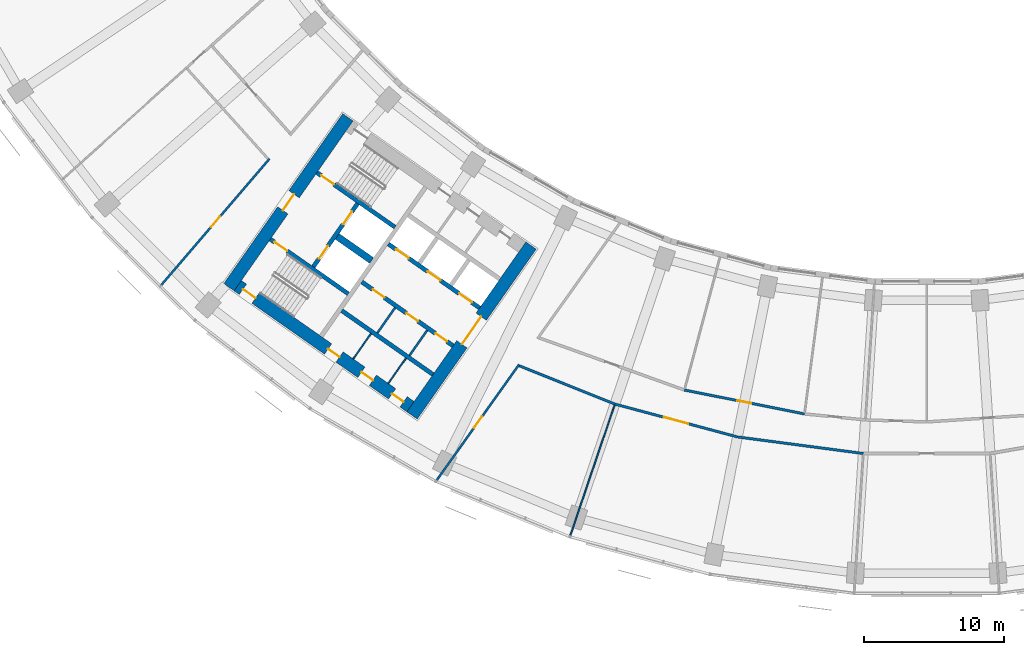
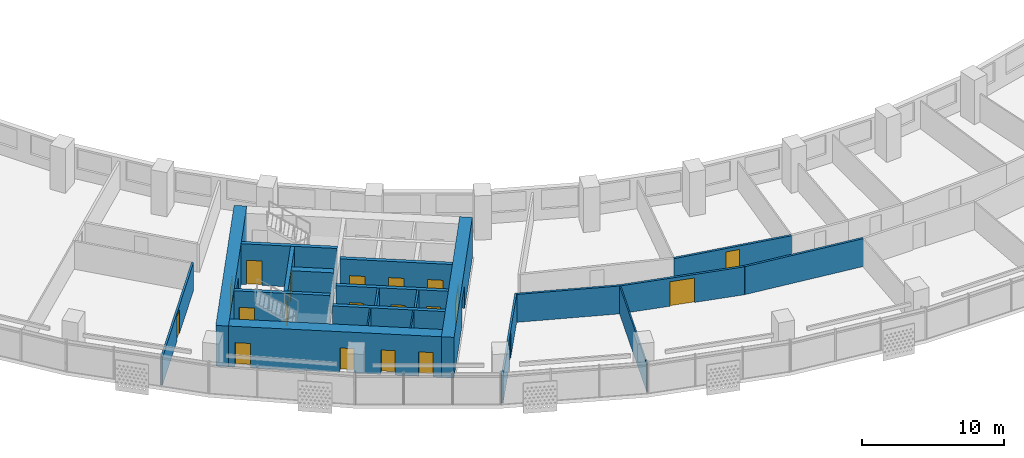
# One storey, part 3 of 29: 21 walls, 20 doors, 20 openings.
"""IFC4 building model written with IfcOpenShell, lengths in metres."""

from ifc_helpers import new_model, si_unit, direction, frame, frame_2d, origin, place, context, subcontext, project, spatial, rectangle, extrude, material, layer, layer_set, type_object, element, fill, save


model = new_model("IFC4")

# Units and contexts
model_context = context("Model", 3, precision=1e-05, world=origin(), true_north=direction((0.0, 1.0)))
body_context = subcontext(model_context, "Body", "Model", "MODEL_VIEW")
ifc_project = project(units=[si_unit("LENGTHUNIT", "METRE"), si_unit("AREAUNIT", "SQUARE_METRE"), si_unit("VOLUMEUNIT", "CUBIC_METRE"), si_unit("PLANEANGLEUNIT", "RADIAN"), si_unit("MASSUNIT", "GRAM", prefix="KILO")], contexts=[model_context])

# Site, building, storey
site_placement = place(None, origin())
site = spatial("IfcSite", under=ifc_project, at=site_placement, CompositionType="ELEMENT")
building_placement = place(site_placement, origin())
building = spatial("IfcBuilding", under=site, at=building_placement, Name="Qamariyya Broadcast Tower", CompositionType="ELEMENT")
storey_placement = place(building_placement, frame((0.0, 0.0, 129.10009765625)))
storey = spatial("IfcBuildingStorey", under=building, at=storey_placement, Name="L29", CompositionType="ELEMENT", Elevation=129.10009765625)

# Wall, opening, door
ifc_material_1 = material(Name="Concrete C70/85", Category="concrete")
ifc_layer_1 = layer(ifc_material_1, 0.89990234375)
ifc_layer_set_1 = layer_set([ifc_layer_1], Name="Core wall 900 mm Concrete C70/85")
wall_type_1 = type_object("IfcWallType", Name="Core wall 900 mm Concrete C70/85", PredefinedType="SHEAR", material=ifc_layer_set_1)
wall_1_placement = place(storey_placement, frame((-36.716796875, -66.3369140625, 0.0), z_axis=(0.0, 0.0, 1.0), x_axis=(0.573577477574, 0.819151315216, 0.0)))
wall_1 = element("IfcWall", 1, at=wall_1_placement, inside=storey, type_object=wall_type_1, Name="k-W-L29-WA", PredefinedType="SHEAR", context=body_context, shape_type="SweptSolid", body=[
    extrude(rectangle(XDim=14.800048828125, YDim=0.89990234375, at=frame_2d((7.39990234375, 0.0))), origin(), (0.0, 0.0, 1.0), 3.5),
])
opening_1_placement = place(wall_1_placement, frame((6.199951171875, 0.0, 0.0)))
opening_1 = element("IfcOpeningElement", 2, at=opening_1_placement, cuts=wall_1, Name="Opening KD3-W1", PredefinedType="OPENING", context=body_context, shape_type="SweptSolid", body=[
    extrude(rectangle(XDim=2.39990234375, YDim=2.10009765625, at=frame_2d((1.199951171875, 1.050048828125))), frame((0.0, 0.4599609375, 0.0), z_axis=(0.0, -1.0, 0.0), x_axis=(1.0, 0.0, 0.0)), (0.0, 0.0, 1.0), 0.919921875),
])
ifc_material_2 = material(Name="Steel fire-resisting door leaf", Category="steel")
door_type_1 = type_object("IfcDoorType", Name="Lift lobby door KD3", OperationType="DOUBLE_DOOR_SINGLE_SWING", PredefinedType="DOOR", material=ifc_material_2)
door_1_placement = place(opening_1_placement, origin())
door_1 = element("IfcDoor", 3, at=door_1_placement, inside=storey, type_object=door_type_1, Name="k-W-L29-WA-D1", OperationType="DOUBLE_DOOR_SINGLE_SWING", OverallHeight=2.10009765625, OverallWidth=2.39990234375, PredefinedType="DOOR", context=body_context, shape_type="SweptSolid", body=[
    extrude(rectangle(XDim=2.39990234375, YDim=2.10009765625, at=frame_2d((1.199951171875, 1.050048828125))), frame((0.0, 0.02490234375, 0.0), z_axis=(0.0, -1.0, 0.0), x_axis=(1.0, 0.0, 0.0)), (0.0, 0.0, 1.0), 0.050048828125),
])
fill(opening_1, door_1)

wall_2_placement = place(storey_placement, frame((-49.778564453125, -57.191162109375, 0.0), z_axis=(0.0, 0.0, 1.0), x_axis=(0.573577477574, 0.819151315216, 0.0)))
wall_2 = element("IfcWall", 4, at=wall_2_placement, inside=storey, type_object=wall_type_1, Name="k-W-L29-WH", PredefinedType="SHEAR", context=body_context, shape_type="SweptSolid", body=[
    extrude(rectangle(XDim=14.800048828125, YDim=0.89990234375, at=frame_2d((7.39990234375, 0.0))), origin(), (0.0, 0.0, 1.0), 3.5),
])
opening_2_placement = place(wall_2_placement, frame((6.699951171875, 0.0, 0.0)))
opening_2 = element("IfcOpeningElement", 5, at=opening_2_placement, cuts=wall_2, Name="Opening KD2-W1", PredefinedType="OPENING", context=body_context, shape_type="SweptSolid", body=[
    extrude(rectangle(XDim=1.39990234375, YDim=2.10009765625, at=frame_2d((0.699951171875, 1.050048828125))), frame((0.0, 0.4599609375, 0.0), z_axis=(0.0, -1.0, 0.0), x_axis=(1.0, 0.0, 0.0)), (0.0, 0.0, 1.0), 0.919921875),
])
door_type_2 = type_object("IfcDoorType", Name="Fire-fighting lobby door KD2", OperationType="DOUBLE_DOOR_SINGLE_SWING", PredefinedType="DOOR", material=ifc_material_2)
door_2_placement = place(opening_2_placement, origin())
door_2 = element("IfcDoor", 6, at=door_2_placement, inside=storey, type_object=door_type_2, Name="k-W-L29-WH-D16", OperationType="DOUBLE_DOOR_SINGLE_SWING", OverallHeight=2.10009765625, OverallWidth=1.39990234375, PredefinedType="DOOR", context=body_context, shape_type="SweptSolid", body=[
    extrude(rectangle(XDim=1.39990234375, YDim=2.10009765625, at=frame_2d((0.699951171875, 1.050048828125))), frame((0.0, 0.02490234375, 0.0), z_axis=(0.0, -1.0, 0.0), x_axis=(1.0, 0.0, 0.0)), (0.0, 0.0, 1.0), 0.050048828125),
])
fill(opening_2, door_2)

# Wall, openings, doors
wall_3_placement = place(storey_placement, frame((-36.827392578125, -65.710205078125, 0.0), z_axis=(0.0, 0.0, 1.0), x_axis=(-0.819153391756, 0.573574511963, 0.0)))
wall_3 = element("IfcWall", 7, at=wall_3_placement, inside=storey, type_object=wall_type_1, Name="k-W-L29-WO", PredefinedType="SHEAR", context=body_context, shape_type="SweptSolid", body=[
    extrude(rectangle(XDim=15.04541015625, YDim=0.89990234375, at=frame_2d((7.522705078125, 0.0))), origin(), (0.0, 0.0, 1.0), 3.5),
])
opening_3_placement = place(wall_3_placement, frame((0.60009765625, 0.0, 0.0)))
opening_3 = element("IfcOpeningElement", 8, at=opening_3_placement, cuts=wall_3, Name="Opening KD4-W1", PredefinedType="OPENING", context=body_context, shape_type="SweptSolid", body=[
    extrude(rectangle(XDim=1.0, YDim=2.10009765625, at=frame_2d((0.5, 1.050048828125))), frame((0.0, 0.4599609375, 0.0), z_axis=(0.0, -1.0, 0.0), x_axis=(1.0, 0.0, 0.0)), (0.0, 0.0, 1.0), 0.919921875),
])
opening_4_placement = place(wall_3_placement, frame((3.27490234375, 0.0, 0.0)))
opening_4 = element("IfcOpeningElement", 9, at=opening_4_placement, cuts=wall_3, Name="Opening KD4-W2", PredefinedType="OPENING", context=body_context, shape_type="SweptSolid", body=[
    extrude(rectangle(XDim=1.0, YDim=2.10009765625, at=frame_2d((0.5, 1.050048828125))), frame((0.0, 0.4599609375, 0.0), z_axis=(0.0, -1.0, 0.0), x_axis=(1.0, 0.0, 0.0)), (0.0, 0.0, 1.0), 0.919921875),
])
opening_5_placement = place(wall_3_placement, frame((6.175048828125, 0.0, 0.0)))
opening_5 = element("IfcOpeningElement", 10, at=opening_5_placement, cuts=wall_3, Name="Opening KD4-W3", PredefinedType="OPENING", context=body_context, shape_type="SweptSolid", body=[
    extrude(rectangle(XDim=1.0, YDim=2.10009765625, at=frame_2d((0.5, 1.050048828125))), frame((0.0, 0.4599609375, 0.0), z_axis=(0.0, -1.0, 0.0), x_axis=(1.0, 0.0, 0.0)), (0.0, 0.0, 1.0), 0.919921875),
])
opening_6_placement = place(wall_3_placement, frame((13.495361328125, 0.0, 0.0)))
opening_6 = element("IfcOpeningElement", 11, at=opening_6_placement, cuts=wall_3, Name="Opening KD1-W3", PredefinedType="OPENING", context=body_context, shape_type="SweptSolid", body=[
    extrude(rectangle(XDim=1.10009765625, YDim=2.10009765625, at=frame_2d((0.550048828125, 1.050048828125))), frame((0.0, 0.4599609375, 0.0), z_axis=(0.0, -1.0, 0.0), x_axis=(1.0, 0.0, 0.0)), (0.0, 0.0, 1.0), 0.919921875),
])
door_type_3 = type_object("IfcDoorType", Name="Riser and plant door KD4", OperationType="SINGLE_SWING_LEFT", PredefinedType="DOOR", material=ifc_material_2)
door_3_placement = place(opening_3_placement, origin())
door_3 = element("IfcDoor", 12, at=door_3_placement, inside=storey, type_object=door_type_3, Name="k-W-L29-WO-D11", OperationType="SINGLE_SWING_RIGHT", OverallHeight=2.10009765625, OverallWidth=1.0, PredefinedType="DOOR", context=body_context, shape_type="SweptSolid", body=[
    extrude(rectangle(XDim=1.0, YDim=2.10009765625, at=frame_2d((0.5, 1.050048828125))), frame((0.0, 0.02490234375, 0.0), z_axis=(0.0, -1.0, 0.0), x_axis=(1.0, 0.0, 0.0)), (0.0, 0.0, 1.0), 0.050048828125),
])
fill(opening_3, door_3)
door_4_placement = place(opening_4_placement, origin())
door_4 = element("IfcDoor", 13, at=door_4_placement, inside=storey, type_object=door_type_3, Name="k-W-L29-WO-D12", OperationType="SINGLE_SWING_LEFT", OverallHeight=2.10009765625, OverallWidth=1.0, PredefinedType="DOOR", context=body_context, shape_type="SweptSolid", body=[
    extrude(rectangle(XDim=1.0, YDim=2.10009765625, at=frame_2d((0.5, 1.050048828125))), frame((0.0, 0.02490234375, 0.0), z_axis=(0.0, -1.0, 0.0), x_axis=(1.0, 0.0, 0.0)), (0.0, 0.0, 1.0), 0.050048828125),
])
fill(opening_4, door_4)
door_5_placement = place(opening_5_placement, origin())
door_5 = element("IfcDoor", 14, at=door_5_placement, inside=storey, type_object=door_type_3, Name="k-W-L29-WO-D13", OperationType="SINGLE_SWING_RIGHT", OverallHeight=2.10009765625, OverallWidth=1.0, PredefinedType="DOOR", context=body_context, shape_type="SweptSolid", body=[
    extrude(rectangle(XDim=1.0, YDim=2.10009765625, at=frame_2d((0.5, 1.050048828125))), frame((0.0, 0.02490234375, 0.0), z_axis=(0.0, -1.0, 0.0), x_axis=(1.0, 0.0, 0.0)), (0.0, 0.0, 1.0), 0.050048828125),
])
fill(opening_5, door_5)
door_type_4 = type_object("IfcDoorType", Name="Stair door KD1", OperationType="SINGLE_SWING_LEFT", PredefinedType="DOOR", material=ifc_material_2)
door_6_placement = place(opening_6_placement, origin())
door_6 = element("IfcDoor", 15, at=door_6_placement, inside=storey, type_object=door_type_4, Name="k-W-L29-WO-D19", OperationType="SINGLE_SWING_LEFT", OverallHeight=2.10009765625, OverallWidth=1.10009765625, PredefinedType="DOOR", context=body_context, shape_type="SweptSolid", body=[
    extrude(rectangle(XDim=1.10009765625, YDim=2.10009765625, at=frame_2d((0.550048828125, 1.050048828125))), frame((0.0, 0.02490234375, 0.0), z_axis=(0.0, -1.0, 0.0), x_axis=(1.0, 0.0, 0.0)), (0.0, 0.0, 1.0), 0.050048828125),
])
fill(opening_6, door_6)

# Wall, opening, door
ifc_material_3 = material(Name="Gypsum board partition")
ifc_layer_2 = layer(ifc_material_3, 0.14990234375)
ifc_layer_set_2 = layer_set([ifc_layer_2], Name="Corridor partition 150 EI 60")
wall_type_2 = type_object("IfcWallType", Name="Corridor partition 150 EI 60", PredefinedType="PARTITIONING", material=ifc_layer_set_2)
wall_4_placement = place(storey_placement, frame((-54.600830078125, -57.024169921875, 0.0), z_axis=(0.0, 0.0, 1.0), x_axis=(0.650984855328, 0.759090717986, 0.0)))
wall_4 = element("IfcWall", 16, at=wall_4_placement, inside=storey, type_object=wall_type_2, Name="Partition L29-004", PredefinedType="PARTITIONING", context=body_context, shape_type="SweptSolid", body=[
    extrude(rectangle(XDim=11.844970703125, YDim=0.14990234375, at=frame_2d((5.92236328125, 0.0))), origin(), (0.0, 0.0, 1.0), 2.39990234375),
])
opening_7_placement = place(wall_4_placement, frame((5.422607421875, 0.0, 0.0)))
opening_7 = element("IfcOpeningElement", 17, at=opening_7_placement, cuts=wall_4, Name="Opening L29-D14", PredefinedType="OPENING", context=body_context, shape_type="SweptSolid", body=[
    extrude(rectangle(XDim=1.0, YDim=2.10009765625, at=frame_2d((0.5, 1.050048828125))), frame((0.0, 0.0849609375, 0.0), z_axis=(0.0, -1.0, 0.0), x_axis=(1.0, 0.0, 0.0)), (0.0, 0.0, 1.0), 0.169921875),
])
ifc_material_4 = material(Name="Timber fire door leaf", Category="wood")
door_type_5 = type_object("IfcDoorType", Name="Fire door 1000 x 2100 FD60", OperationType="NOTDEFINED", PredefinedType="DOOR", material=ifc_material_4)
door_7_placement = place(opening_7_placement, origin())
door_7 = element("IfcDoor", 18, at=door_7_placement, inside=storey, type_object=door_type_5, Name="Door L29-D14", OperationType="SINGLE_SWING_RIGHT", OverallHeight=2.10009765625, OverallWidth=1.0, PredefinedType="DOOR", context=body_context, shape_type="SweptSolid", body=[
    extrude(rectangle(XDim=1.0, YDim=2.10009765625, at=frame_2d((0.5, 1.050048828125))), frame((0.0, 0.02490234375, 0.0), z_axis=(0.0, -1.0, 0.0), x_axis=(1.0, 0.0, 0.0)), (0.0, 0.0, 1.0), 0.050048828125),
])
fill(opening_7, door_7)

wall_5_placement = place(storey_placement, frame((-29.075439453125, -62.697998046875, 0.0), z_axis=(0.0, 0.0, 1.0), x_axis=(-0.58002146853, -0.814601188339, 0.0)))
wall_5 = element("IfcWall", 19, at=wall_5_placement, inside=storey, type_object=wall_type_2, Name="Partition L29-008", PredefinedType="PARTITIONING", context=body_context, shape_type="SweptSolid", body=[
    extrude(rectangle(XDim=10.14111328125, YDim=0.14990234375, at=frame_2d((5.070556640625, 0.0))), origin(), (0.0, 0.0, 1.0), 2.39990234375),
])
opening_8_placement = place(wall_5_placement, frame((4.570556640625, 0.0, 0.0)))
opening_8 = element("IfcOpeningElement", 20, at=opening_8_placement, cuts=wall_5, Name="Opening L29-D01", PredefinedType="OPENING", context=body_context, shape_type="SweptSolid", body=[
    extrude(rectangle(XDim=1.0, YDim=2.10009765625, at=frame_2d((0.5, 1.050048828125))), frame((0.0, 0.0849609375, 0.0), z_axis=(0.0, -1.0, 0.0), x_axis=(1.0, 0.0, 0.0)), (0.0, 0.0, 1.0), 0.169921875),
])
door_8_placement = place(opening_8_placement, origin())
door_8 = element("IfcDoor", 21, at=door_8_placement, inside=storey, type_object=door_type_5, Name="Door L29-D01", OperationType="SINGLE_SWING_RIGHT", OverallHeight=2.10009765625, OverallWidth=1.0, PredefinedType="DOOR", context=body_context, shape_type="SweptSolid", body=[
    extrude(rectangle(XDim=1.0, YDim=2.10009765625, at=frame_2d((0.5, 1.050048828125))), frame((0.0, 0.02490234375, 0.0), z_axis=(0.0, -1.0, 0.0), x_axis=(1.0, 0.0, 0.0)), (0.0, 0.0, 1.0), 0.050048828125),
])
fill(opening_8, door_8)

# Walls
ifc_material_5 = material(Name="Concrete C60/75", Category="concrete")
ifc_layer_3 = layer(ifc_material_5, 0.5)
ifc_layer_set_3 = layer_set([ifc_layer_3], Name="Fire-fighting lobby divider wall 500 mm Concrete C60/75")
wall_type_3 = type_object("IfcWallType", Name="Fire-fighting lobby divider wall 500 mm Concrete C60/75", PredefinedType="SOLIDWALL", material=ifc_layer_set_3)
wall_6_placement = place(storey_placement, frame((-39.59912109375, -55.28515625, 0.0), z_axis=(0.0, 0.0, 1.0), x_axis=(-0.819136323161, 0.573598887793, 0.0)))
element("IfcWall", 22, at=wall_6_placement, inside=storey, type_object=wall_type_3, Name="k-W-L29-FD", PredefinedType="SOLIDWALL", context=body_context, shape_type="SweptSolid", body=[
    extrude(rectangle(XDim=2.999755859375, YDim=0.5, at=frame_2d((1.5, 0.0))), origin(), (0.0, 0.0, 1.0), 3.5),
])
ifc_material_6 = material(Name="Gypsum board partition on steel studs", Category="steel")
ifc_layer_4 = layer(ifc_material_6, 0.14990234375)
ifc_layer_set_4 = layer_set([ifc_layer_4], Name="Gypsum board partition 150 mm")
wall_type_4 = type_object("IfcWallType", Name="Gypsum board partition 150 mm", PredefinedType="PARTITIONING", material=ifc_layer_set_4)
for number, where, z_axis, x_axis, name in (
    (23, (-35.634521484375, -60.25830078125, 0.0), (0.0, 0.0, 1.0), (-0.573581496053, -0.819148501424, 0.0), "k-W-L29-SC215"),
    (24, (-37.92822265625, -58.65234375, 0.0), (0.0, 0.0, 1.0), (-0.573581496053, -0.819148501424, 0.0), "k-W-L29-SC495"),
):
    element("IfcWall", number, at=place(storey_placement, frame(where, z_axis=z_axis, x_axis=x_axis)), inside=storey, type_object=wall_type_4, Name=name, PredefinedType="PARTITIONING", context=body_context, shape_type="SweptSolid", body=[
        extrude(rectangle(XDim=2.2001953125, YDim=0.14990234375, at=frame_2d((1.10009765625, 0.0))), origin(), (0.0, 0.0, 1.0), 3.5),
    ])

# Wall, openings, doors
ifc_layer_5 = layer(ifc_material_5, 0.300048828125)
ifc_layer_set_5 = layer_set([ifc_layer_5], Name="Lift shaft wall 300 mm Concrete C60/75")
wall_type_5 = type_object("IfcWallType", Name="Lift shaft wall 300 mm Concrete C60/75", PredefinedType="SOLIDWALL", material=ifc_layer_set_5)
wall_7_placement = place(storey_placement, frame((-31.89453125, -58.66552734375, 0.0), z_axis=(0.0, 0.0, 1.0), x_axis=(-0.819166993208, 0.573555086491, 0.0)))
wall_7 = element("IfcWall", 25, at=wall_7_placement, inside=storey, type_object=wall_type_5, Name="k-W-L29-NF0", PredefinedType="SOLIDWALL", context=body_context, shape_type="SweptSolid", body=[
    extrude(rectangle(XDim=7.9501953125, YDim=0.300048828125, at=frame_2d((3.97509765625, 0.0))), origin(), (0.0, 0.0, 1.0), 3.5),
])
opening_9_placement = place(wall_7_placement, frame((0.675048828125, 0.0, 0.0)))
opening_9 = element("IfcOpeningElement", 26, at=opening_9_placement, cuts=wall_7, Name="Opening LD", PredefinedType="OPENING", context=body_context, shape_type="SweptSolid", body=[
    extrude(rectangle(XDim=1.10009765625, YDim=2.10009765625, at=frame_2d((0.550048828125, 1.050048828125))), frame((0.0, 0.159912109375, 0.0), z_axis=(0.0, -1.0, 0.0), x_axis=(1.0, 0.0, 0.0)), (0.0, 0.0, 1.0), 0.320068359375),
])
opening_10_placement = place(wall_7_placement, frame((3.425048828125, 0.0, 0.0)))
opening_10 = element("IfcOpeningElement", 27, at=opening_10_placement, cuts=wall_7, Name="Opening LD", PredefinedType="OPENING", context=body_context, shape_type="SweptSolid", body=[
    extrude(rectangle(XDim=1.10009765625, YDim=2.10009765625, at=frame_2d((0.550048828125, 1.050048828125))), frame((0.0, 0.159912109375, 0.0), z_axis=(0.0, -1.0, 0.0), x_axis=(1.0, 0.0, 0.0)), (0.0, 0.0, 1.0), 0.320068359375),
])
opening_11_placement = place(wall_7_placement, frame((6.175048828125, 0.0, 0.0)))
opening_11 = element("IfcOpeningElement", 28, at=opening_11_placement, cuts=wall_7, Name="Opening LD", PredefinedType="OPENING", context=body_context, shape_type="SweptSolid", body=[
    extrude(rectangle(XDim=1.10009765625, YDim=2.10009765625, at=frame_2d((0.550048828125, 1.050048828125))), frame((0.0, 0.159912109375, 0.0), z_axis=(0.0, -1.0, 0.0), x_axis=(1.0, 0.0, 0.0)), (0.0, 0.0, 1.0), 0.320068359375),
])
door_type_6 = type_object("IfcDoorType", Name="Lift landing door LD", OperationType="DOUBLE_DOOR_SLIDING", PredefinedType="DOOR", material=ifc_material_2)
door_9_placement = place(opening_9_placement, origin())
door_9 = element("IfcDoor", 29, at=door_9_placement, inside=storey, type_object=door_type_6, Name="k-W-L29-NF0-D2", OperationType="DOUBLE_DOOR_SLIDING", OverallHeight=2.10009765625, OverallWidth=1.10009765625, PredefinedType="DOOR", context=body_context, shape_type="SweptSolid", body=[
    extrude(rectangle(XDim=1.10009765625, YDim=2.10009765625, at=frame_2d((0.550048828125, 1.050048828125))), frame((0.0, 0.02490234375, 0.0), z_axis=(0.0, -1.0, 0.0), x_axis=(1.0, 0.0, 0.0)), (0.0, 0.0, 1.0), 0.050048828125),
])
fill(opening_9, door_9)
door_10_placement = place(opening_10_placement, origin())
door_10 = element("IfcDoor", 30, at=door_10_placement, inside=storey, type_object=door_type_6, Name="k-W-L29-NF0-D3", OperationType="DOUBLE_DOOR_SLIDING", OverallHeight=2.10009765625, OverallWidth=1.10009765625, PredefinedType="DOOR", context=body_context, shape_type="SweptSolid", body=[
    extrude(rectangle(XDim=1.10009765625, YDim=2.10009765625, at=frame_2d((0.550048828125, 1.050048828125))), frame((0.0, 0.02490234375, 0.0), z_axis=(0.0, -1.0, 0.0), x_axis=(1.0, 0.0, 0.0)), (0.0, 0.0, 1.0), 0.050048828125),
])
fill(opening_10, door_10)
door_11_placement = place(opening_11_placement, origin())
door_11 = element("IfcDoor", 31, at=door_11_placement, inside=storey, type_object=door_type_6, Name="k-W-L29-NF0-D4", OperationType="DOUBLE_DOOR_SLIDING", OverallHeight=2.10009765625, OverallWidth=1.10009765625, PredefinedType="DOOR", context=body_context, shape_type="SweptSolid", body=[
    extrude(rectangle(XDim=1.10009765625, YDim=2.10009765625, at=frame_2d((0.550048828125, 1.050048828125))), frame((0.0, 0.02490234375, 0.0), z_axis=(0.0, -1.0, 0.0), x_axis=(1.0, 0.0, 0.0)), (0.0, 0.0, 1.0), 0.050048828125),
])
fill(opening_11, door_11)

wall_8_placement = place(storey_placement, frame((-33.787353515625, -61.368896484375, 0.0), z_axis=(0.0, 0.0, 1.0), x_axis=(-0.819152564888, 0.573575692858, 0.0)))
wall_8 = element("IfcWall", 32, at=wall_8_placement, inside=storey, type_object=wall_type_5, Name="k-W-L29-SF0", PredefinedType="SOLIDWALL", context=body_context, shape_type="SweptSolid", body=[
    extrude(rectangle(XDim=7.9501953125, YDim=0.300048828125, at=frame_2d((3.97509765625, 0.0))), origin(), (0.0, 0.0, 1.0), 3.5),
])
opening_12_placement = place(wall_8_placement, frame((0.53759765625, 0.0, 0.0)))
opening_12 = element("IfcOpeningElement", 33, at=opening_12_placement, cuts=wall_8, Name="Opening KD6-W1", PredefinedType="OPENING", context=body_context, shape_type="SweptSolid", body=[
    extrude(rectangle(XDim=1.0, YDim=2.10009765625, at=frame_2d((0.5, 1.050048828125))), frame((0.0, 0.159912109375, 0.0), z_axis=(0.0, -1.0, 0.0), x_axis=(1.0, 0.0, 0.0)), (0.0, 0.0, 1.0), 0.320068359375),
])
opening_13_placement = place(wall_8_placement, frame((3.050048828125, 0.0, 0.0)))
opening_13 = element("IfcOpeningElement", 34, at=opening_13_placement, cuts=wall_8, Name="Opening KD6-W2", PredefinedType="OPENING", context=body_context, shape_type="SweptSolid", body=[
    extrude(rectangle(XDim=1.0, YDim=2.10009765625, at=frame_2d((0.5, 1.050048828125))), frame((0.0, 0.159912109375, 0.0), z_axis=(0.0, -1.0, 0.0), x_axis=(1.0, 0.0, 0.0)), (0.0, 0.0, 1.0), 0.320068359375),
])
opening_14_placement = place(wall_8_placement, frame((5.987548828125, 0.0, 0.0)))
opening_14 = element("IfcOpeningElement", 35, at=opening_14_placement, cuts=wall_8, Name="Opening KD6-W3", PredefinedType="OPENING", context=body_context, shape_type="SweptSolid", body=[
    extrude(rectangle(XDim=1.0, YDim=2.10009765625, at=frame_2d((0.5, 1.050048828125))), frame((0.0, 0.159912109375, 0.0), z_axis=(0.0, -1.0, 0.0), x_axis=(1.0, 0.0, 0.0)), (0.0, 0.0, 1.0), 0.320068359375),
])
door_type_7 = type_object("IfcDoorType", Name="Core room door KD6", OperationType="SINGLE_SWING_LEFT", PredefinedType="DOOR", material=ifc_material_2)
door_12_placement = place(opening_12_placement, origin())
door_12 = element("IfcDoor", 36, at=door_12_placement, inside=storey, type_object=door_type_7, Name="k-W-L29-SF0-D5", OperationType="SINGLE_SWING_RIGHT", OverallHeight=2.10009765625, OverallWidth=1.0, PredefinedType="DOOR", context=body_context, shape_type="SweptSolid", body=[
    extrude(rectangle(XDim=1.0, YDim=2.10009765625, at=frame_2d((0.5, 1.050048828125))), frame((0.0, 0.02490234375, 0.0), z_axis=(0.0, -1.0, 0.0), x_axis=(1.0, 0.0, 0.0)), (0.0, 0.0, 1.0), 0.050048828125),
])
fill(opening_12, door_12)
door_13_placement = place(opening_13_placement, origin())
door_13 = element("IfcDoor", 37, at=door_13_placement, inside=storey, type_object=door_type_7, Name="k-W-L29-SF0-D6", OperationType="SINGLE_SWING_LEFT", OverallHeight=2.10009765625, OverallWidth=1.0, PredefinedType="DOOR", context=body_context, shape_type="SweptSolid", body=[
    extrude(rectangle(XDim=1.0, YDim=2.10009765625, at=frame_2d((0.5, 1.050048828125))), frame((0.0, 0.02490234375, 0.0), z_axis=(0.0, -1.0, 0.0), x_axis=(1.0, 0.0, 0.0)), (0.0, 0.0, 1.0), 0.050048828125),
])
fill(opening_13, door_13)
door_14_placement = place(opening_14_placement, origin())
door_14 = element("IfcDoor", 38, at=door_14_placement, inside=storey, type_object=door_type_7, Name="k-W-L29-SF0-D7", OperationType="SINGLE_SWING_RIGHT", OverallHeight=2.10009765625, OverallWidth=1.0, PredefinedType="DOOR", context=body_context, shape_type="SweptSolid", body=[
    extrude(rectangle(XDim=1.0, YDim=2.10009765625, at=frame_2d((0.5, 1.050048828125))), frame((0.0, 0.02490234375, 0.0), z_axis=(0.0, -1.0, 0.0), x_axis=(1.0, 0.0, 0.0)), (0.0, 0.0, 1.0), 0.050048828125),
])
fill(opening_14, door_14)

# Wall
wall_9_placement = place(storey_placement, frame((-35.22119140625, -63.41650390625, 0.0), z_axis=(0.0, 0.0, 1.0), x_axis=(-0.819166993208, 0.573555086491, 0.0)))
element("IfcWall", 39, at=wall_9_placement, inside=storey, type_object=wall_type_5, Name="k-W-L29-SB0", PredefinedType="SOLIDWALL", context=body_context, shape_type="SweptSolid", body=[
    extrude(rectangle(XDim=7.9501953125, YDim=0.300048828125, at=frame_2d((3.97509765625, 0.0))), origin(), (0.0, 0.0, 1.0), 3.5),
])

# Wall, opening, door
wall_10_placement = place(storey_placement, frame((-37.935546875, -52.90966796875, 0.0), z_axis=(0.0, 0.0, 1.0), x_axis=(-0.819147518138, 0.57358290031, 0.0)))
wall_10 = element("IfcWall", 40, at=wall_10_placement, inside=storey, type_object=wall_type_5, Name="k-W-L29-NW", PredefinedType="SOLIDWALL", context=body_context, shape_type="SweptSolid", body=[
    extrude(rectangle(XDim=6.79541015625, YDim=0.300048828125, at=frame_2d((3.397705078125, 0.0))), origin(), (0.0, 0.0, 1.0), 3.5),
])
opening_15_placement = place(wall_10_placement, frame((5.3203125, 0.0, 0.0)))
opening_15 = element("IfcOpeningElement", 41, at=opening_15_placement, cuts=wall_10, Name="Opening KD1-W2", PredefinedType="OPENING", context=body_context, shape_type="SweptSolid", body=[
    extrude(rectangle(XDim=1.10009765625, YDim=2.10009765625, at=frame_2d((0.550048828125, 1.050048828125))), frame((0.0, 0.159912109375, 0.0), z_axis=(0.0, -1.0, 0.0), x_axis=(1.0, 0.0, 0.0)), (0.0, 0.0, 1.0), 0.320068359375),
])
door_15_placement = place(opening_15_placement, origin())
door_15 = element("IfcDoor", 42, at=door_15_placement, inside=storey, type_object=door_type_4, Name="k-W-L29-NW-D18", OperationType="SINGLE_SWING_LEFT", OverallHeight=2.10009765625, OverallWidth=1.10009765625, PredefinedType="DOOR", context=body_context, shape_type="SweptSolid", body=[
    extrude(rectangle(XDim=1.10009765625, YDim=2.10009765625, at=frame_2d((0.550048828125, 1.050048828125))), frame((0.0, 0.02490234375, 0.0), z_axis=(0.0, -1.0, 0.0), x_axis=(1.0, 0.0, 0.0)), (0.0, 0.0, 1.0), 0.050048828125),
])
fill(opening_15, door_15)

wall_11_placement = place(storey_placement, frame((-41.262451171875, -57.66064453125, 0.0), z_axis=(0.0, 0.0, 1.0), x_axis=(-0.819164398642, 0.573558792102, 0.0)))
wall_11 = element("IfcWall", 43, at=wall_11_placement, inside=storey, type_object=wall_type_5, Name="k-W-L29-SW", PredefinedType="SOLIDWALL", context=body_context, shape_type="SweptSolid", body=[
    extrude(rectangle(XDim=6.795166015625, YDim=0.300048828125, at=frame_2d((3.3974609375, 0.0))), origin(), (0.0, 0.0, 1.0), 3.5),
])
opening_16_placement = place(wall_11_placement, frame((5.3203125, 0.0, 0.0)))
opening_16 = element("IfcOpeningElement", 44, at=opening_16_placement, cuts=wall_11, Name="Opening KD1-W4", PredefinedType="OPENING", context=body_context, shape_type="SweptSolid", body=[
    extrude(rectangle(XDim=1.10009765625, YDim=2.10009765625, at=frame_2d((0.550048828125, 1.050048828125))), frame((0.0, 0.159912109375, 0.0), z_axis=(0.0, -1.0, 0.0), x_axis=(1.0, 0.0, 0.0)), (0.0, 0.0, 1.0), 0.320068359375),
])
door_16_placement = place(opening_16_placement, origin())
door_16 = element("IfcDoor", 45, at=door_16_placement, inside=storey, type_object=door_type_4, Name="k-W-L29-SW-D20", OperationType="SINGLE_SWING_LEFT", OverallHeight=2.10009765625, OverallWidth=1.10009765625, PredefinedType="DOOR", context=body_context, shape_type="SweptSolid", body=[
    extrude(rectangle(XDim=1.10009765625, YDim=2.10009765625, at=frame_2d((0.550048828125, 1.050048828125))), frame((0.0, 0.02490234375, 0.0), z_axis=(0.0, -1.0, 0.0), x_axis=(1.0, 0.0, 0.0)), (0.0, 0.0, 1.0), 0.050048828125),
])
fill(opening_16, door_16)

# Wall, openings, doors
wall_12_placement = place(storey_placement, frame((-43.756591796875, -55.731201171875, 0.0), z_axis=(0.0, 0.0, 1.0), x_axis=(0.573536818435, 0.819179783625, 0.0)))
wall_12 = element("IfcWall", 46, at=wall_12_placement, inside=storey, type_object=wall_type_5, Name="k-W-L29-FF", PredefinedType="SOLIDWALL", context=body_context, shape_type="SweptSolid", body=[
    extrude(rectangle(XDim=5.500244140625, YDim=0.300048828125, at=frame_2d((2.75, 0.0))), origin(), (0.0, 0.0, 1.0), 3.5),
])
opening_17_placement = place(wall_12_placement, frame((0.699951171875, 0.0, 0.0)))
opening_17 = element("IfcOpeningElement", 47, at=opening_17_placement, cuts=wall_12, Name="Opening LD", PredefinedType="OPENING", context=body_context, shape_type="SweptSolid", body=[
    extrude(rectangle(XDim=1.10009765625, YDim=2.10009765625, at=frame_2d((0.550048828125, 1.050048828125))), frame((0.0, 0.159912109375, 0.0), z_axis=(0.0, -1.0, 0.0), x_axis=(1.0, 0.0, 0.0)), (0.0, 0.0, 1.0), 0.320068359375),
])
opening_18_placement = place(wall_12_placement, frame((3.699951171875, 0.0, 0.0)))
opening_18 = element("IfcOpeningElement", 48, at=opening_18_placement, cuts=wall_12, Name="Opening LD", PredefinedType="OPENING", context=body_context, shape_type="SweptSolid", body=[
    extrude(rectangle(XDim=1.10009765625, YDim=2.10009765625, at=frame_2d((0.550048828125, 1.050048828125))), frame((0.0, 0.159912109375, 0.0), z_axis=(0.0, -1.0, 0.0), x_axis=(1.0, 0.0, 0.0)), (0.0, 0.0, 1.0), 0.320068359375),
])
door_17_placement = place(opening_17_placement, origin())
door_17 = element("IfcDoor", 49, at=door_17_placement, inside=storey, type_object=door_type_6, Name="k-W-L29-FF-D14", OperationType="DOUBLE_DOOR_SLIDING", OverallHeight=2.10009765625, OverallWidth=1.10009765625, PredefinedType="DOOR", context=body_context, shape_type="SweptSolid", body=[
    extrude(rectangle(XDim=1.10009765625, YDim=2.10009765625, at=frame_2d((0.550048828125, 1.050048828125))), frame((0.0, 0.02490234375, 0.0), z_axis=(0.0, -1.0, 0.0), x_axis=(1.0, 0.0, 0.0)), (0.0, 0.0, 1.0), 0.050048828125),
])
fill(opening_17, door_17)
door_18_placement = place(opening_18_placement, origin())
door_18 = element("IfcDoor", 50, at=door_18_placement, inside=storey, type_object=door_type_6, Name="k-W-L29-FF-D15", OperationType="DOUBLE_DOOR_SLIDING", OverallHeight=2.10009765625, OverallWidth=1.10009765625, PredefinedType="DOOR", context=body_context, shape_type="SweptSolid", body=[
    extrude(rectangle(XDim=1.10009765625, YDim=2.10009765625, at=frame_2d((0.550048828125, 1.050048828125))), frame((0.0, 0.02490234375, 0.0), z_axis=(0.0, -1.0, 0.0), x_axis=(1.0, 0.0, 0.0)), (0.0, 0.0, 1.0), 0.050048828125),
])
fill(opening_18, door_18)

# Walls
ifc_layer_6 = layer(ifc_material_3, 0.10009765625)
ifc_layer_set_6 = layer_set([ifc_layer_6], Name="Partition 100")
wall_type_6 = type_object("IfcWallType", Name="Partition 100", PredefinedType="PARTITIONING", material=ifc_layer_set_6)
wall_13_placement = place(storey_placement, frame((-25.42578125, -74.902099609375, 0.0), z_axis=(0.0, 0.0, 1.0), x_axis=(0.321441806318, 0.946929334824, 0.0)))
element("IfcWall", 51, at=wall_13_placement, inside=storey, type_object=wall_type_6, Name="Partition L29-011", PredefinedType="PARTITIONING", context=body_context, shape_type="SweptSolid", body=[
    extrude(rectangle(XDim=9.809814453125, YDim=0.10009765625, at=frame_2d((4.90478515625, 0.0))), origin(), (0.0, 0.0, 1.0), 2.39990234375),
])
ifc_material_7 = material(Name="Fire-rated gypsum shaft liner on steel studs", Category="steel")
ifc_layer_7 = layer(ifc_material_7, 0.10009765625)
ifc_layer_set_7 = layer_set([ifc_layer_7], Name="Riser wall 100 mm")
wall_type_7 = type_object("IfcWallType", Name="Riser wall 100 mm", PredefinedType="PLUMBINGWALL", material=ifc_layer_set_7)
for number, where, z_axis, x_axis, name in (
    (52, (-37.150390625, -62.2490234375, 0.0), (0.0, 0.0, 1.0), (-0.573633636671, -0.819111989218, 0.0), "k-W-L29-SP225"),
    (53, (-39.64892578125, -60.49951171875, 0.0), (0.0, 0.0, 1.0), (-0.573507030513, -0.819200638399, 0.0), "k-W-L29-SP530"),
):
    element("IfcWall", number, at=place(storey_placement, frame(where, z_axis=z_axis, x_axis=x_axis)), inside=storey, type_object=wall_type_7, Name=name, PredefinedType="PLUMBINGWALL", context=body_context, shape_type="SweptSolid", body=[
        extrude(rectangle(XDim=2.199951171875, YDim=0.10009765625, at=frame_2d((1.10009765625, 0.0))), origin(), (0.0, 0.0, 1.0), 3.5),
    ])
ifc_layer_8 = layer(ifc_material_3, 0.179931640625)
ifc_layer_set_8 = layer_set([ifc_layer_8], Name="Studio acoustic partition 180 EI 60")
wall_type_8 = type_object("IfcWallType", Name="Studio acoustic partition 180 EI 60", PredefinedType="PARTITIONING", material=ifc_layer_set_8)
wall_14_placement = place(storey_placement, frame((-29.057861328125, -62.799072265625, 0.0), z_axis=(0.0, 0.0, 1.0), x_axis=(0.92834358791, -0.371723261025, 0.0)))
element("IfcWall", 54, at=wall_14_placement, inside=storey, type_object=wall_type_8, Name="Partition L29-009", PredefinedType="PARTITIONING", context=body_context, shape_type="SweptSolid", body=[
    extrude(rectangle(XDim=7.340087890625, YDim=0.179931640625, at=frame_2d((3.669921875, 0.0))), origin(), (0.0, 0.0, 1.0), 2.39990234375),
])

# Wall, opening, door
wall_15_placement = place(storey_placement, frame((-13.5087890625, -67.867919921875, 0.0), z_axis=(0.0, 0.0, 1.0), x_axis=(-0.965930457668, 0.258801759942, 0.0)))
wall_15 = element("IfcWall", 55, at=wall_15_placement, inside=storey, type_object=wall_type_8, Name="Partition L29-012", PredefinedType="PARTITIONING", context=body_context, shape_type="SweptSolid", body=[
    extrude(rectangle(XDim=9.04296875, YDim=0.179931640625, at=frame_2d((4.521484375, 0.0))), origin(), (0.0, 0.0, 1.0), 2.39990234375),
])
opening_19_placement = place(wall_15_placement, frame((3.621337890625, 0.0, 0.0)))
opening_19 = element("IfcOpeningElement", 56, at=opening_19_placement, cuts=wall_15, Name="Opening L29-D02", PredefinedType="OPENING", context=body_context, shape_type="SweptSolid", body=[
    extrude(rectangle(XDim=1.800048828125, YDim=2.10009765625, at=frame_2d((0.89990234375, 1.050048828125))), frame((0.0, 0.099853515625, 0.0), z_axis=(0.0, -1.0, 0.0), x_axis=(1.0, 0.0, 0.0)), (0.0, 0.0, 1.0), 0.199951171875),
])
door_type_8 = type_object("IfcDoorType", Name="Double fire door 1800 x 2100 FD60", OperationType="NOTDEFINED", PredefinedType="DOOR", material=ifc_material_4)
door_19_placement = place(opening_19_placement, origin())
door_19 = element("IfcDoor", 57, at=door_19_placement, inside=storey, type_object=door_type_8, Name="Door L29-D02", OperationType="DOUBLE_DOOR_SINGLE_SWING", OverallHeight=2.10009765625, OverallWidth=1.800048828125, PredefinedType="DOOR", context=body_context, shape_type="SweptSolid", body=[
    extrude(rectangle(XDim=1.800048828125, YDim=2.10009765625, at=frame_2d((0.89990234375, 1.050048828125))), frame((0.0, 0.02490234375, 0.0), z_axis=(0.0, -1.0, 0.0), x_axis=(1.0, 0.0, 0.0)), (0.0, 0.0, 1.0), 0.050048828125),
])
fill(opening_19, door_19)

wall_16_placement = place(storey_placement, frame((-17.2890625, -64.52392578125, 0.0), z_axis=(0.0, 0.0, 1.0), x_axis=(0.980786466832, -0.195084357342, 0.0)))
wall_16 = element("IfcWall", 58, at=wall_16_placement, inside=storey, type_object=wall_type_8, Name="Partition L29-014", PredefinedType="PARTITIONING", context=body_context, shape_type="SweptSolid", body=[
    extrude(rectangle(XDim=8.73779296875, YDim=0.179931640625, at=frame_2d((4.368896484375, 0.0))), origin(), (0.0, 0.0, 1.0), 2.39990234375),
])
opening_20_placement = place(wall_16_placement, frame((3.868896484375, 0.0, 0.0)))
opening_20 = element("IfcOpeningElement", 59, at=opening_20_placement, cuts=wall_16, Name="Opening L29-D07", PredefinedType="OPENING", context=body_context, shape_type="SweptSolid", body=[
    extrude(rectangle(XDim=1.0, YDim=2.10009765625, at=frame_2d((0.5, 1.050048828125))), frame((0.0, 0.099853515625, 0.0), z_axis=(0.0, -1.0, 0.0), x_axis=(1.0, 0.0, 0.0)), (0.0, 0.0, 1.0), 0.199951171875),
])
door_20_placement = place(opening_20_placement, origin())
door_20 = element("IfcDoor", 60, at=door_20_placement, inside=storey, type_object=door_type_5, Name="Door L29-D07", OperationType="SINGLE_SWING_RIGHT", OverallHeight=2.10009765625, OverallWidth=1.0, PredefinedType="DOOR", context=body_context, shape_type="SweptSolid", body=[
    extrude(rectangle(XDim=1.0, YDim=2.10009765625, at=frame_2d((0.5, 1.050048828125))), frame((0.0, 0.02490234375, 0.0), z_axis=(0.0, -1.0, 0.0), x_axis=(1.0, 0.0, 0.0)), (0.0, 0.0, 1.0), 0.050048828125),
])
fill(opening_20, door_20)

# Wall
wall_17_placement = place(storey_placement, frame((-13.491455078125, -67.87158203125, 0.0), z_axis=(0.0, 0.0, 1.0), x_axis=(0.991447218368, -0.130508287819, 0.0)))
element("IfcWall", 61, at=wall_17_placement, inside=storey, type_object=wall_type_8, Name="Partition L29-016", PredefinedType="PARTITIONING", context=body_context, shape_type="SweptSolid", body=[
    extrude(rectangle(XDim=9.04296875, YDim=0.179931640625, at=frame_2d((4.521484375, 0.0))), origin(), (0.0, 0.0, 1.0), 2.39990234375),
])

save(model, "model.ifc")
